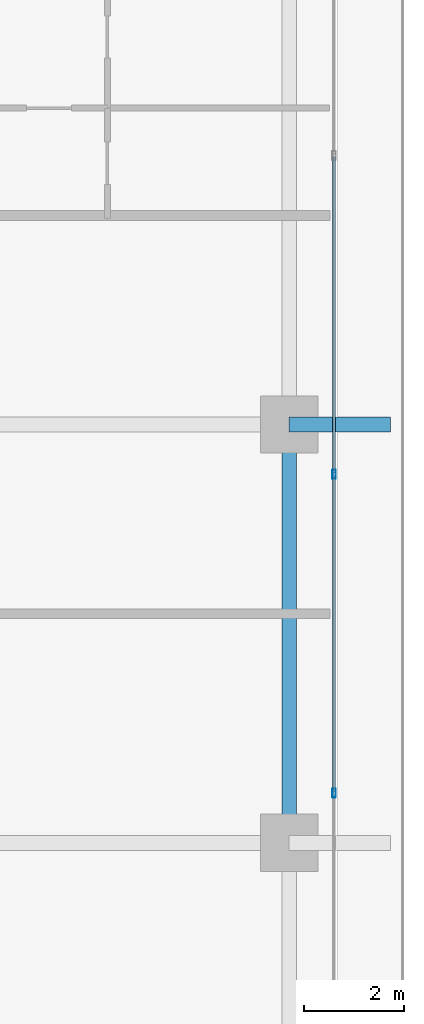
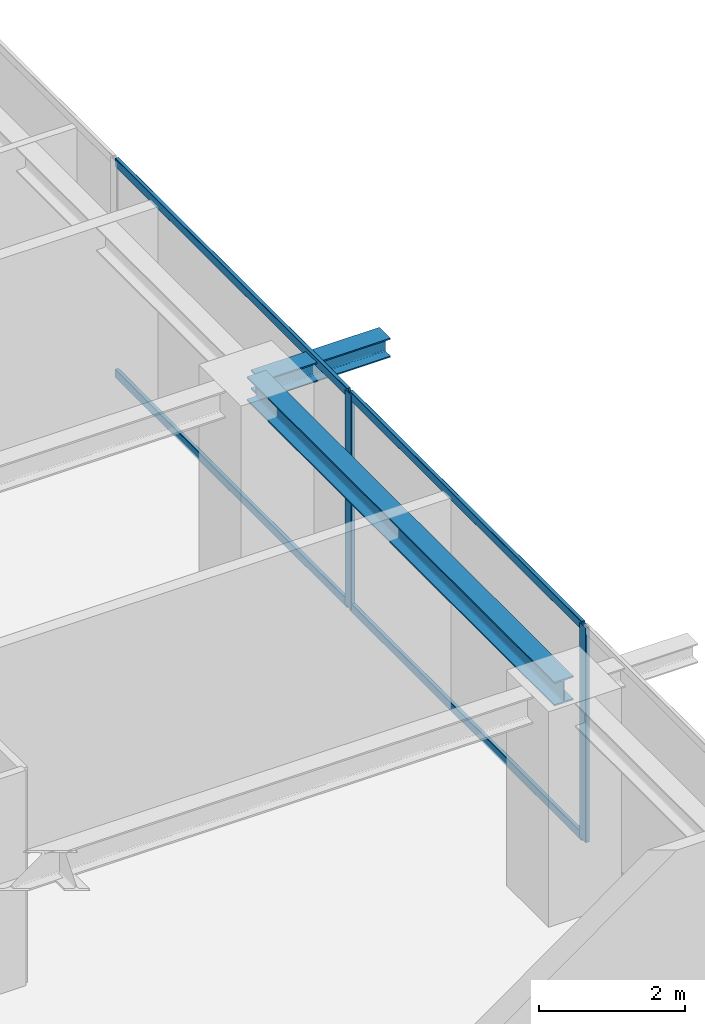
# One storey, part 16 of 39: 6 members, 2 beams, 1 element without a shape of its own.
"""IFC4 building model written with IfcOpenShell, lengths in metres."""

from ifc_helpers import new_model, si_unit, direction, frame, origin, origin_2d, place, context, subcontext, project, spatial, hollow_rectangle, i_section, extrude, source, transform, mapped, material, layer, layer_set, material_profile, profile_set, type_object, element, aggregate, save


model = new_model("IFC4")

# Units and contexts
model_context = context("Model", 3, precision=1e-05, world=origin(), true_north=direction((0.0, 1.0)))
body_context = subcontext(model_context, "Body", "Model", "MODEL_VIEW")
ifc_project = project(units=[si_unit("LENGTHUNIT", "METRE"), si_unit("AREAUNIT", "SQUARE_METRE"), si_unit("VOLUMEUNIT", "CUBIC_METRE"), si_unit("PLANEANGLEUNIT", "RADIAN"), si_unit("MASSUNIT", "GRAM", prefix="KILO")], contexts=[model_context])

# Site, building, storey
site_placement = place(None, origin())
site = spatial("IfcSite", under=ifc_project, at=site_placement, CompositionType="ELEMENT")
building_placement = place(site_placement, origin())
building = spatial("IfcBuilding", under=site, at=building_placement, Name="Serunith Strait Residences", CompositionType="ELEMENT")
storey_placement = place(building_placement, frame((0.0, 0.0, 222.0)))
storey = spatial("IfcBuildingStorey", under=building, at=storey_placement, Name="L55", CompositionType="ELEMENT", Elevation=222.0)

# Beams
ifc_material_1 = material(Name="Steel S355J2", Category="steel")
ifc_material_profile_1 = material_profile(ifc_material_1, i_section(OverallWidth=0.300048828125, OverallDepth=0.39990234375, WebThickness=0.013427734375, FlangeThickness=0.02392578125, FilletRadius=0.027099609375, at=origin_2d()), Name="HEB 400")
ifc_profile_set_1 = profile_set([ifc_material_profile_1], Name="Steel S355J2")
beam_type_1 = type_object("IfcBeamType", Name="BM-HEB400", PredefinedType="BEAM", material=ifc_profile_set_1)
shared_shape_1 = source(origin(), body_context, "Body", "SweptSolid", [
    extrude(i_section(OverallWidth=0.300048828125, OverallDepth=0.39990234375, WebThickness=0.013427734375, FlangeThickness=0.02392578125, FilletRadius=0.027099609375, at=origin_2d()), origin(), (0.0, 0.0, 1.0), 8.39990234375),
])
beam_1_placement = place(storey_placement, frame((56.5, 21.0, 3.386962890625), z_axis=(0.0, 1.0, 0.0), x_axis=(-1.0, 0.0, 0.0)))
element("IfcBeam", 1, at=beam_1_placement, inside=storey, type_object=beam_type_1, Name="L55 Perimeter Ring Beam 06", PredefinedType="BEAM", context=body_context, shape_type="MappedRepresentation", body=[
    mapped(shared_shape_1, transform((0.0, 0.0, 0.0), scale=1.0)),
])
ifc_material_profile_2 = material_profile(ifc_material_1, i_section(OverallWidth=0.300048828125, OverallDepth=0.320068359375, WebThickness=0.011474609375, FlangeThickness=0.0205078125, FilletRadius=0.027099609375, at=origin_2d()), Name="HEB 320")
ifc_profile_set_2 = profile_set([ifc_material_profile_2], Name="Steel S355J2")
beam_type_2 = type_object("IfcBeamType", Name="BM-HEB320", PredefinedType="BEAM", material=ifc_profile_set_2)
shared_shape_2 = source(origin(), body_context, "Body", "SweptSolid", [
    extrude(i_section(OverallWidth=0.300048828125, OverallDepth=0.320068359375, WebThickness=0.011474609375, FlangeThickness=0.0205078125, FilletRadius=0.027099609375, at=origin_2d()), origin(), (0.0, 0.0, 1.0), 2.030029296875),
])
beam_2_placement = place(storey_placement, frame((56.5, 29.39990234375, 3.39697265625), z_axis=(1.0, 0.0, 0.0), x_axis=(0.0, 1.0, 0.0)))
element("IfcBeam", 2, at=beam_2_placement, inside=storey, type_object=beam_type_2, Name="L56 Cantilevered Balcony Rib TC-E3", PredefinedType="BEAM", context=body_context, shape_type="MappedRepresentation", body=[
    mapped(shared_shape_2, transform((0.0, 0.0, 0.0), scale=1.0)),
])

# Curtain wall, members
ifc_material_2 = material(Name="Pale-Champagne Anodised Aluminium", Category="aluminium")
ifc_layer = layer(ifc_material_2, 0.199951171875, Name="Pale-Champagne Anodised Aluminium")
ifc_layer_set = layer_set([ifc_layer], Name="Pale-Champagne Anodised Aluminium")
curtain_wall_type = type_object("IfcCurtainWallType", Name="CW-SYS4", PredefinedType="NOTDEFINED", material=ifc_layer_set)
curtain_wall_placement = place(storey_placement, origin())
curtain_wall = element("IfcCurtainWall", 3, at=curtain_wall_placement, inside=storey, type_object=curtain_wall_type, Name="L55 E Unitised Fritted Curtain Wall", PredefinedType="NOTDEFINED")
ifc_material_profile_3 = material_profile(ifc_material_2, hollow_rectangle(XDim=0.06494140625, YDim=0.179931640625, WallThickness=0.00341796875, InnerFilletRadius=0.00537109375, OuterFilletRadius=0.0087890625, at=origin_2d()), Name="ALU 180x65x3.5")
ifc_profile_set_3 = profile_set([ifc_material_profile_3], Name="Pale-Champagne Anodised Aluminium")
member_type_1 = type_object("IfcMemberType", Name="CW-SYS4-MULL", PredefinedType="MULLION", material=ifc_profile_set_3)
shared_shape_3 = source(origin(), body_context, "Body", "SweptSolid", [
    extrude(hollow_rectangle(XDim=0.06494140625, YDim=0.179931640625, WallThickness=0.00341796875, InnerFilletRadius=0.00537109375, OuterFilletRadius=0.0087890625, at=origin_2d()), origin(), (0.0, 0.0, 1.0), 3.574951171875),
])
member_1_placement = place(storey_placement, frame((57.39990234375, 22.0, 0.0), z_axis=(0.0, 0.0, 1.0), x_axis=(-1.0, 0.0, 0.0)))
member_1 = element("IfcMember", 4, at=member_1_placement, type_object=member_type_1, Name="CW-4 mullion 3", PredefinedType="MULLION", context=body_context, shape_type="MappedRepresentation", body=[
    mapped(shared_shape_3, transform((0.0, 0.0, 0.0), scale=1.0)),
])
member_2_placement = place(storey_placement, frame((57.39990234375, 28.39990234375, 0.0), z_axis=(0.0, 0.0, 1.0), x_axis=(-1.0, 0.0, 0.0)))
member_2 = element("IfcMember", 5, at=member_2_placement, type_object=member_type_1, Name="CW-4 mullion 4", PredefinedType="MULLION", context=body_context, shape_type="MappedRepresentation", body=[
    mapped(shared_shape_3, transform((0.0, 0.0, 0.0), scale=1.0)),
])
ifc_material_profile_4 = material_profile(ifc_material_2, hollow_rectangle(XDim=0.06005859375, YDim=0.139892578125, WallThickness=0.00341796875, InnerFilletRadius=0.00537109375, OuterFilletRadius=0.0087890625, at=origin_2d()), Name="ALU 140x60x3.5")
ifc_profile_set_4 = profile_set([ifc_material_profile_4], Name="Pale-Champagne Anodised Aluminium")
member_type_2 = type_object("IfcMemberType", Name="CW-SYS4-TRAN", PredefinedType="USERDEFINED", material=ifc_profile_set_4)
shared_shape_4 = source(origin(), body_context, "Body", "SweptSolid", [
    extrude(hollow_rectangle(XDim=0.06005859375, YDim=0.139892578125, WallThickness=0.00341796875, InnerFilletRadius=0.00537109375, OuterFilletRadius=0.0087890625, at=origin_2d()), origin(), (0.0, 0.0, 1.0), 6.3349609375),
])
member_3_placement = place(storey_placement, frame((57.39990234375, 22.032470703125, 0.030029296875), z_axis=(0.0, 1.0, 0.0), x_axis=(-1.0, 0.0, 0.0)))
member_3 = element("IfcMember", 6, at=member_3_placement, type_object=member_type_2, Name="CW-4 transom 3.1", ObjectType="TRANSOM", PredefinedType="USERDEFINED", context=body_context, shape_type="MappedRepresentation", body=[
    mapped(shared_shape_4, transform((0.0, 0.0, 0.0), scale=1.0)),
])
member_4_placement = place(storey_placement, frame((57.39990234375, 22.032470703125, 3.544921875), z_axis=(0.0, 1.0, 0.0), x_axis=(-1.0, 0.0, 0.0)))
member_4 = element("IfcMember", 7, at=member_4_placement, type_object=member_type_2, Name="CW-4 transom 3.2", ObjectType="TRANSOM", PredefinedType="USERDEFINED", context=body_context, shape_type="MappedRepresentation", body=[
    mapped(shared_shape_4, transform((0.0, 0.0, 0.0), scale=1.0)),
])
member_5_placement = place(storey_placement, frame((57.39990234375, 28.4326171875, 0.030029296875), z_axis=(0.0, 1.0, 0.0), x_axis=(-1.0, 0.0, 0.0)))
member_5 = element("IfcMember", 8, at=member_5_placement, type_object=member_type_2, Name="CW-4 transom 4.1", ObjectType="TRANSOM", PredefinedType="USERDEFINED", context=body_context, shape_type="MappedRepresentation", body=[
    mapped(shared_shape_4, transform((0.0, 0.0, 0.0), scale=1.0)),
])
member_6_placement = place(storey_placement, frame((57.39990234375, 28.4326171875, 3.544921875), z_axis=(0.0, 1.0, 0.0), x_axis=(-1.0, 0.0, 0.0)))
member_6 = element("IfcMember", 9, at=member_6_placement, type_object=member_type_2, Name="CW-4 transom 4.2", ObjectType="TRANSOM", PredefinedType="USERDEFINED", context=body_context, shape_type="MappedRepresentation", body=[
    mapped(shared_shape_4, transform((0.0, 0.0, 0.0), scale=1.0)),
])
aggregate(curtain_wall, [member_1, member_2, member_3, member_4, member_5, member_6])

save(model, "model.ifc")
